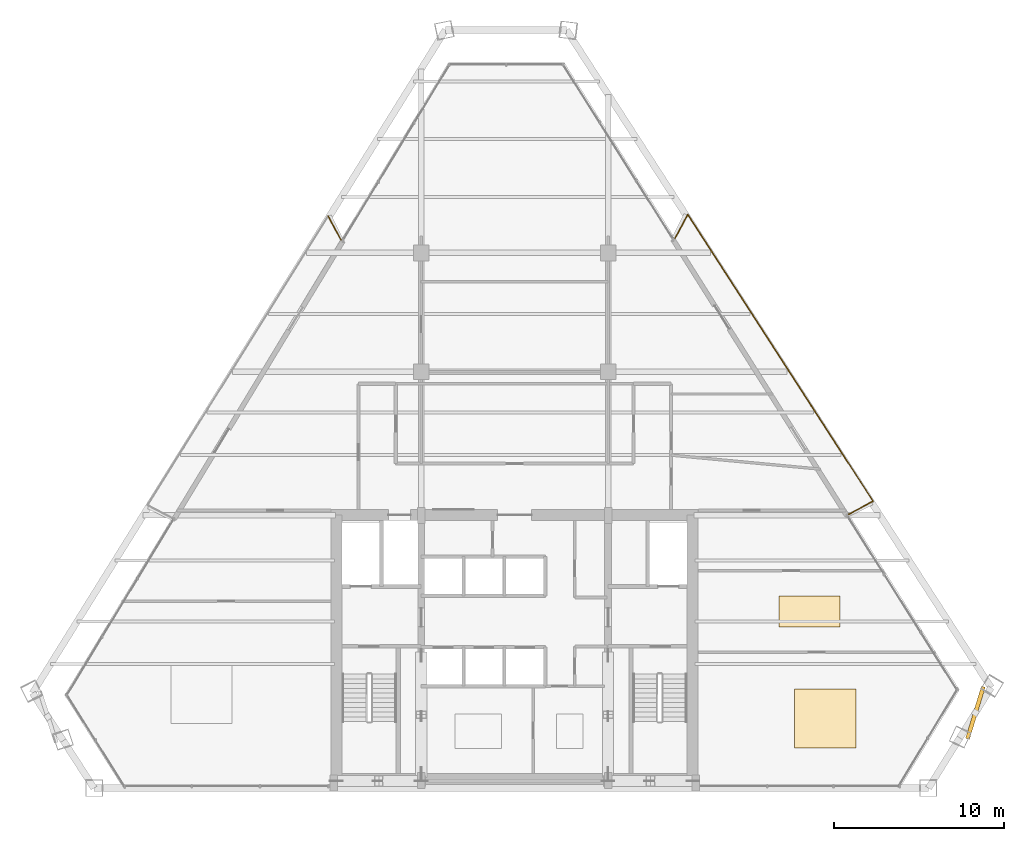
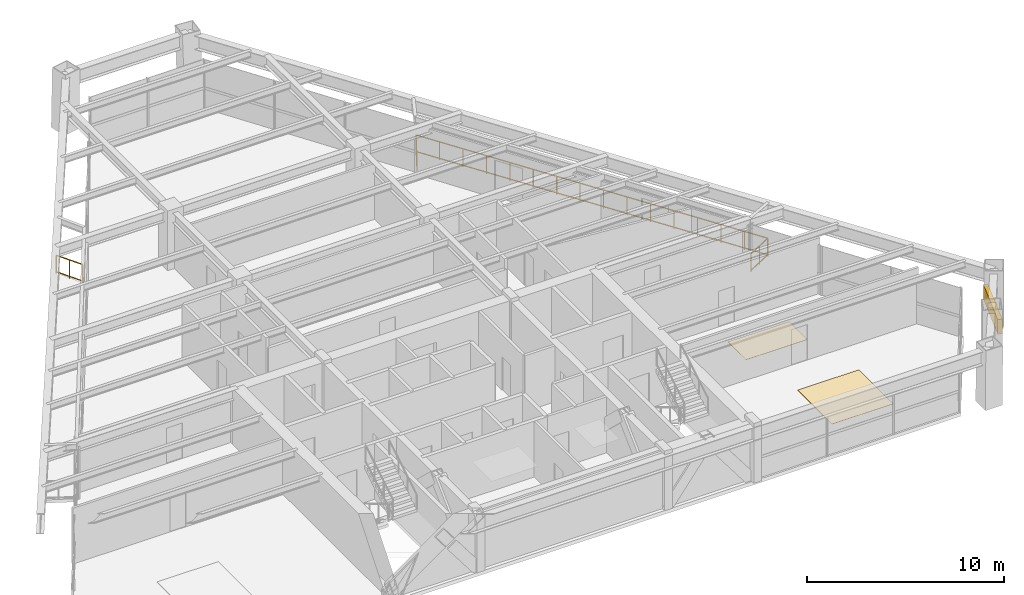
# One storey, part 12 of 12: 4 railings, 2 coverings, 1 shading device.
"""IFC4 building model written with IfcOpenShell, lengths in metres."""

from ifc_helpers import new_model, si_unit, direction, frame, origin, origin_2d, place, context, subcontext, project, spatial, rectangle, extrude, source, transform, mapped, material, layer, layer_set, type_object, type_shapes, element, save


model = new_model("IFC4")

# Units and contexts
model_context = context("Model", 3, precision=1e-05, world=origin(), true_north=direction((0.0, 1.0)))
body_context = subcontext(model_context, "Body", "Model", "MODEL_VIEW")
ifc_project = project(units=[si_unit("LENGTHUNIT", "METRE"), si_unit("AREAUNIT", "SQUARE_METRE"), si_unit("VOLUMEUNIT", "CUBIC_METRE"), si_unit("PLANEANGLEUNIT", "RADIAN"), si_unit("MASSUNIT", "GRAM", prefix="KILO")], contexts=[model_context])

# Site, building, storey
site_placement = place(None, origin())
site = spatial("IfcSite", under=ifc_project, at=site_placement, CompositionType="ELEMENT")
building_placement = place(site_placement, origin())
building = spatial("IfcBuilding", under=site, at=building_placement, Name="Varnakhor Terracotta Tower", CompositionType="ELEMENT")
storey_placement = place(building_placement, frame((0.0, 0.0, 208.0)))
storey = spatial("IfcBuildingStorey", under=building, at=storey_placement, Name="L53", CompositionType="ELEMENT", Elevation=208.0)

# Railings
ifc_material_1 = material(Name="Stainless Steel & Laminated Glass Guardrail", Category="steel")
railing_type = type_object("IfcRailingType", Name="RLG-LOGGIA-GUARD-1150", PredefinedType="GUARDRAIL", material=ifc_material_1)
railing_1_placement = place(storey_placement, frame((9.436279296875, 32.3662109375, 0.0)))
element("IfcRailing", 1, at=railing_1_placement, inside=storey, type_object=railing_type, Name="L53 E Loggia Glass Guard 1", PredefinedType="GUARDRAIL", context=body_context, shape_type="SweptSolid", body=[
    extrude(rectangle(XDim=0.048095703125, YDim=0.048095703125, at=origin_2d()), frame((0.0, 0.0, 1.1259765625), z_axis=(0.475949796692, 0.879472450409, 0.0), x_axis=(-0.879472450409, 0.475949796692, 0.0)), (0.0, 0.0, 1.0), 1.580810546875),
    extrude(rectangle(XDim=0.048095703125, YDim=0.048095703125, at=origin_2d()), frame((0.0, 0.0, 0.10009765625), z_axis=(0.475949796692, 0.879472450409, 0.0), x_axis=(-0.879472450409, 0.475949796692, 0.0)), (0.0, 0.0, 1.0), 1.580810546875),
    extrude(rectangle(XDim=0.0419921875, YDim=0.0419921875, at=origin_2d()), origin(), (0.0, 0.0, 1.0), 1.101806640625),
    extrude(rectangle(XDim=0.0419921875, YDim=0.0419921875, at=origin_2d()), frame((0.376220703125, 0.6953125, 0.0)), (0.0, 0.0, 1.0), 1.101806640625),
    extrude(rectangle(XDim=0.0419921875, YDim=0.0419921875, at=origin_2d()), frame((0.75244140625, 1.390380859375, 0.0)), (0.0, 0.0, 1.0), 1.101806640625),
])
railing_2_placement = place(storey_placement, frame((10.188720703125, 33.756591796875, 0.0)))
element("IfcRailing", 2, at=railing_2_placement, inside=storey, type_object=railing_type, Name="L53 E Loggia Glass Guard 2", PredefinedType="GUARDRAIL", context=body_context, shape_type="SweptSolid", body=[
    extrude(rectangle(XDim=0.048095703125, YDim=0.048095703125, at=origin_2d()), frame((0.0, 0.0, 1.1259765625), z_axis=(0.543017939812, -0.839721094794, 0.0), x_axis=(0.839721094794, 0.543017939812, 0.0)), (0.0, 0.0, 1.0), 20.088134765625),
    extrude(rectangle(XDim=0.048095703125, YDim=0.048095703125, at=origin_2d()), frame((0.0, 0.0, 0.10009765625), z_axis=(0.543017939812, -0.839721094794, 0.0), x_axis=(0.839721094794, 0.543017939812, 0.0)), (0.0, 0.0, 1.0), 20.088134765625),
    extrude(rectangle(XDim=0.0419921875, YDim=0.0419921875, at=origin_2d()), origin(), (0.0, 0.0, 1.0), 1.101806640625),
    extrude(rectangle(XDim=0.0419921875, YDim=0.0419921875, at=origin_2d()), frame((0.727294921875, -1.12451171875, 0.0)), (0.0, 0.0, 1.0), 1.101806640625),
    extrude(rectangle(XDim=0.0419921875, YDim=0.0419921875, at=origin_2d()), frame((1.454345703125, -2.2490234375, 0.0)), (0.0, 0.0, 1.0), 1.101806640625),
    extrude(rectangle(XDim=0.0419921875, YDim=0.0419921875, at=origin_2d()), frame((2.181640625, -3.373779296875, 0.0)), (0.0, 0.0, 1.0), 1.101806640625),
    extrude(rectangle(XDim=0.0419921875, YDim=0.0419921875, at=origin_2d()), frame((2.908935546875, -4.498291015625, 0.0)), (0.0, 0.0, 1.0), 1.101806640625),
    extrude(rectangle(XDim=0.0419921875, YDim=0.0419921875, at=origin_2d()), frame((3.635986328125, -5.622802734375, 0.0)), (0.0, 0.0, 1.0), 1.101806640625),
    extrude(rectangle(XDim=0.0419921875, YDim=0.0419921875, at=origin_2d()), frame((4.36328125, -6.747314453125, 0.0)), (0.0, 0.0, 1.0), 1.101806640625),
    extrude(rectangle(XDim=0.0419921875, YDim=0.0419921875, at=origin_2d()), frame((5.090576171875, -7.871826171875, 0.0)), (0.0, 0.0, 1.0), 1.101806640625),
    extrude(rectangle(XDim=0.0419921875, YDim=0.0419921875, at=origin_2d()), frame((5.817626953125, -8.99658203125, 0.0)), (0.0, 0.0, 1.0), 1.101806640625),
    extrude(rectangle(XDim=0.0419921875, YDim=0.0419921875, at=origin_2d()), frame((6.544921875, -10.12109375, 0.0)), (0.0, 0.0, 1.0), 1.101806640625),
    extrude(rectangle(XDim=0.0419921875, YDim=0.0419921875, at=origin_2d()), frame((7.272216796875, -11.24560546875, 0.0)), (0.0, 0.0, 1.0), 1.101806640625),
    extrude(rectangle(XDim=0.0419921875, YDim=0.0419921875, at=origin_2d()), frame((7.999267578125, -12.3701171875, 0.0)), (0.0, 0.0, 1.0), 1.101806640625),
    extrude(rectangle(XDim=0.0419921875, YDim=0.0419921875, at=origin_2d()), frame((8.7265625, -13.49462890625, 0.0)), (0.0, 0.0, 1.0), 1.101806640625),
    extrude(rectangle(XDim=0.0419921875, YDim=0.0419921875, at=origin_2d()), frame((9.453857421875, -14.619384765625, 0.0)), (0.0, 0.0, 1.0), 1.101806640625),
    extrude(rectangle(XDim=0.0419921875, YDim=0.0419921875, at=origin_2d()), frame((10.180908203125, -15.743896484375, 0.0)), (0.0, 0.0, 1.0), 1.101806640625),
    extrude(rectangle(XDim=0.0419921875, YDim=0.0419921875, at=origin_2d()), frame((10.908203125, -16.868408203125, 0.0)), (0.0, 0.0, 1.0), 1.101806640625),
])
railing_3_placement = place(storey_placement, frame((21.096923828125, 16.88818359375, 0.0)))
element("IfcRailing", 3, at=railing_3_placement, inside=storey, type_object=railing_type, Name="L53 E Loggia Glass Guard 3", PredefinedType="GUARDRAIL", context=body_context, shape_type="SweptSolid", body=[
    extrude(rectangle(XDim=0.048095703125, YDim=0.048095703125, at=origin_2d()), frame((0.0, 0.0, 1.1259765625), z_axis=(-0.881099040634, -0.47293179275, 0.0), x_axis=(0.47293179275, -0.881099040634, 0.0)), (0.0, 0.0, 1.0), 1.620849609375),
    extrude(rectangle(XDim=0.048095703125, YDim=0.048095703125, at=origin_2d()), frame((0.0, 0.0, 0.10009765625), z_axis=(-0.881099040634, -0.47293179275, 0.0), x_axis=(0.47293179275, -0.881099040634, 0.0)), (0.0, 0.0, 1.0), 1.620849609375),
    extrude(rectangle(XDim=0.0419921875, YDim=0.0419921875, at=origin_2d()), origin(), (0.0, 0.0, 1.0), 1.101806640625),
    extrude(rectangle(XDim=0.0419921875, YDim=0.0419921875, at=origin_2d()), frame((-0.714111328125, -0.38330078125, 0.0)), (0.0, 0.0, 1.0), 1.101806640625),
    extrude(rectangle(XDim=0.0419921875, YDim=0.0419921875, at=origin_2d()), frame((-1.42822265625, -0.7666015625, 0.0)), (0.0, 0.0, 1.0), 1.101806640625),
])
railing_4_placement = place(storey_placement, frame((-10.98193359375, 33.668701171875, 0.0)))
element("IfcRailing", 4, at=railing_4_placement, inside=storey, type_object=railing_type, Name="L53 W Loggia Glass Guard 3", PredefinedType="GUARDRAIL", context=body_context, shape_type="SweptSolid", body=[
    extrude(rectangle(XDim=0.048095703125, YDim=0.048095703125, at=origin_2d()), frame((0.0, 0.0, 1.1259765625), z_axis=(0.478299471061, -0.87819679798, 0.0), x_axis=(0.87819679798, 0.478299471061, 0.0)), (0.0, 0.0, 1.0), 1.578857421875),
    extrude(rectangle(XDim=0.048095703125, YDim=0.048095703125, at=origin_2d()), frame((0.0, 0.0, 0.10009765625), z_axis=(0.478299471061, -0.87819679798, 0.0), x_axis=(0.87819679798, 0.478299471061, 0.0)), (0.0, 0.0, 1.0), 1.578857421875),
    extrude(rectangle(XDim=0.0419921875, YDim=0.0419921875, at=origin_2d()), origin(), (0.0, 0.0, 1.0), 1.101806640625),
    extrude(rectangle(XDim=0.0419921875, YDim=0.0419921875, at=origin_2d()), frame((0.37744140625, -0.693359375, 0.0)), (0.0, 0.0, 1.0), 1.101806640625),
    extrude(rectangle(XDim=0.0419921875, YDim=0.0419921875, at=origin_2d()), frame((0.755126953125, -1.386474609375, 0.0)), (0.0, 0.0, 1.0), 1.101806640625),
])

# Shading device
ifc_material_2 = material(Name="Extruded Architectural Terracotta Screen", Category="masonry")
shading_device_type = type_object("IfcShadingDeviceType", Name="TERRACOTTA SOLAR SCREEN E", PredefinedType="USERDEFINED", material=ifc_material_2)
shared_shape_1 = source(origin(), body_context, "Body", "SweptSolid", [
    extrude(rectangle(XDim=3.199951171875, YDim=0.239990234375, at=origin_2d()), origin(), (0.0, 0.0, 1.0), 0.919921875),
])
type_shapes(shading_device_type, [shared_shape_1])
shading_device_placement = place(storey_placement, frame((27.120361328125, 4.43701171875, 1.7099609375), z_axis=(0.0, 0.0, 1.0), x_axis=(0.290835787143, 0.956772985048, 0.0)))
element("IfcShadingDevice", 5, at=shading_device_placement, inside=storey, type_object=shading_device_type, Name="L53 E Terracotta Solar Screen", ObjectType="SCREEN", PredefinedType="USERDEFINED", context=body_context, shape_type="MappedRepresentation", body=[
    mapped(shared_shape_1, transform((0.0, 0.0, 0.0), scale=1.0)),
])

# Coverings
ifc_material_3 = material(Name="Honed Riyadh Limestone Flooring", Category="masonry")
ifc_layer = layer(ifc_material_3, 0.030029296875, Name="Honed Riyadh Limestone Flooring")
ifc_layer_set = layer_set([ifc_layer], Name="Honed Riyadh Limestone Flooring")
covering_type = type_object("IfcCoveringType", Name="COV-FLOOR-LIMESTONE", PredefinedType="FLOORING", material=ifc_layer_set)
shared_shape_2 = source(origin(), body_context, "Body", "SweptSolid", [
    extrude(rectangle(XDim=3.60009765625, YDim=1.841064453125, at=origin_2d()), origin(), (0.0, 0.0, 1.0), 0.02001953125),
])
covering_1_placement = place(storey_placement, frame((17.34912109375, 10.39990234375, 0.0), z_axis=(0.0, 0.0, 1.0), x_axis=(1.0, 0.0, 0.0)))
element("IfcCovering", 6, at=covering_1_placement, inside=storey, type_object=covering_type, Name="L53 Honed Stone Flooring 5", PredefinedType="FLOORING", context=body_context, shape_type="MappedRepresentation", body=[
    mapped(shared_shape_2, transform((0.0, 0.0, 0.0), scale=1.0)),
])
shared_shape_3 = source(origin(), body_context, "Body", "SweptSolid", [
    extrude(rectangle(XDim=3.60009765625, YDim=3.489013671875, at=origin_2d()), origin(), (0.0, 0.0, 1.0), 0.02001953125),
])
covering_2_placement = place(storey_placement, frame((18.278076171875, 4.10205078125, 0.0), z_axis=(0.0, 0.0, 1.0), x_axis=(1.0, 0.0, 0.0)))
element("IfcCovering", 7, at=covering_2_placement, inside=storey, type_object=covering_type, Name="L53 Honed Stone Flooring 3", PredefinedType="FLOORING", context=body_context, shape_type="MappedRepresentation", body=[
    mapped(shared_shape_3, transform((0.0, 0.0, 0.0), scale=1.0)),
])

save(model, "model.ifc")
